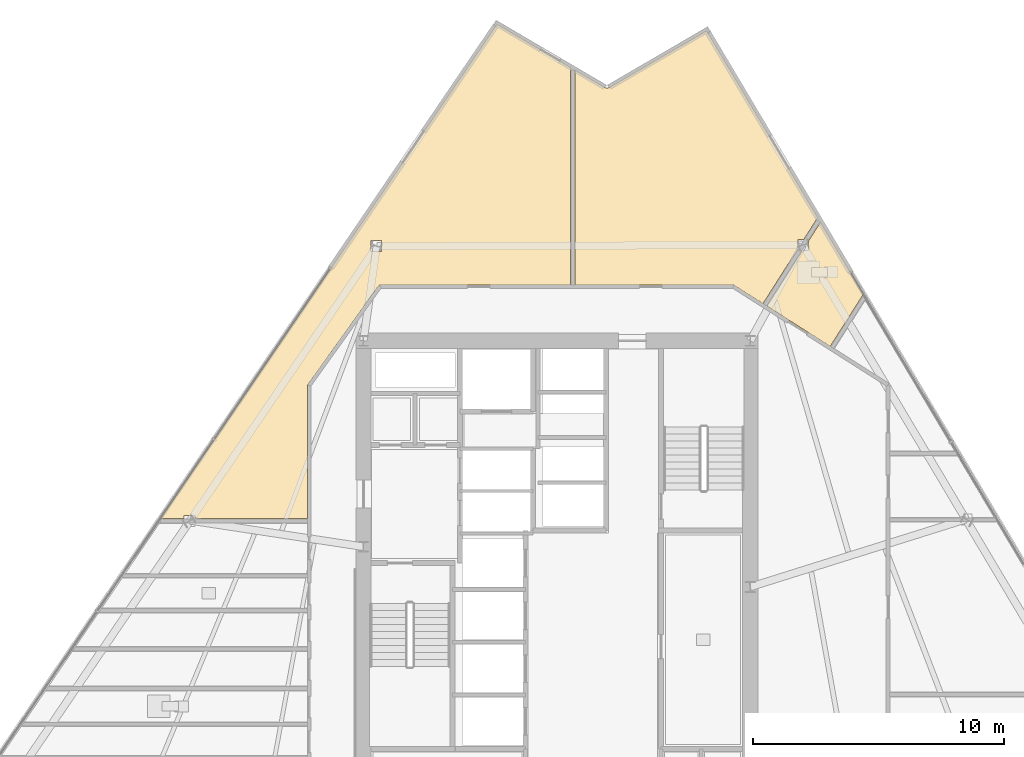
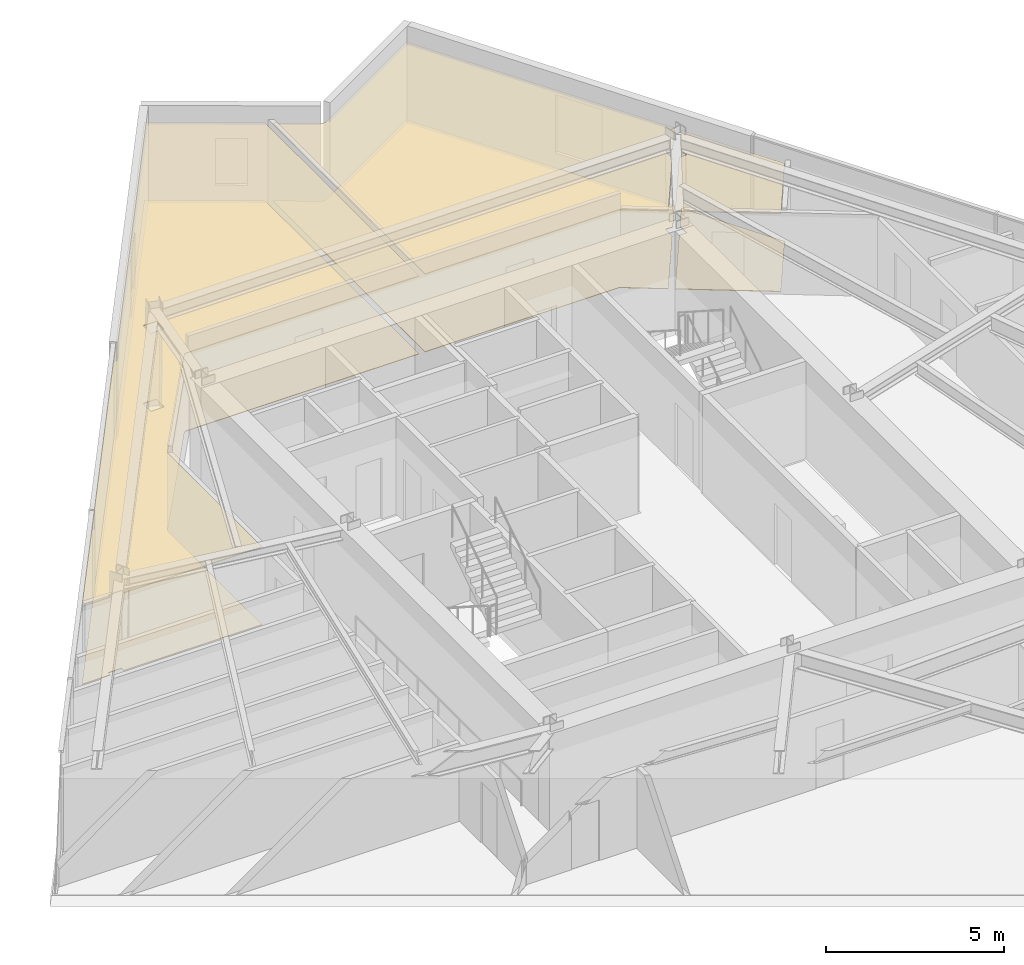
# One storey, part 14 of 15: 6 coverings.
"""IFC4 building model written with IfcOpenShell, lengths in metres."""

from ifc_helpers import new_model, si_unit, direction, frame, origin, place, context, subcontext, project, spatial, polyline, outline, extrude, material, layer, layer_set, type_object, element, save


model = new_model("IFC4")

# Units and contexts
model_context = context("Model", 3, precision=1e-05, world=origin(), true_north=direction((0.0, 1.0)))
body_context = subcontext(model_context, "Body", "Model", "MODEL_VIEW")
ifc_project = project(units=[si_unit("LENGTHUNIT", "METRE"), si_unit("AREAUNIT", "SQUARE_METRE"), si_unit("VOLUMEUNIT", "CUBIC_METRE"), si_unit("PLANEANGLEUNIT", "RADIAN"), si_unit("MASSUNIT", "GRAM", prefix="KILO")], contexts=[model_context])

# Site, building, storey
site_placement = place(None, origin())
site = spatial("IfcSite", under=ifc_project, at=site_placement, CompositionType="ELEMENT")
building_placement = place(site_placement, origin())
building = spatial("IfcBuilding", under=site, at=building_placement, Name="Savorim Split Tower", CompositionType="ELEMENT")
storey_placement = place(building_placement, frame((0.0, 0.0, 118.5)))
storey = spatial("IfcBuildingStorey", under=building, at=storey_placement, Name="L31", CompositionType="ELEMENT", Elevation=118.5)

# Coverings
ifc_material_1 = material(Name="Mineral Fibre Acoustic Ceiling")
ifc_layer_1 = layer(ifc_material_1, 0.02490234375)
ifc_layer_set_1 = layer_set([ifc_layer_1], Name="COV-CEIL-25")
covering_type_1 = type_object("IfcCoveringType", Name="COV-CEIL-25", PredefinedType="CEILING", material=ifc_layer_set_1)
covering_1_placement = place(storey_placement, frame((0.0, 0.0, 2.669921875)))
element("IfcCovering", 1, at=covering_1_placement, inside=storey, type_object=covering_type_1, Name="L31 Shared Bathroom Acoustic Ceiling", PredefinedType="CEILING", context=body_context, shape_type="SweptSolid", body=[
    extrude(outline(polyline([(9.781494140625, 13.798828125), (8.36767578125, 11.575927734375), (8.36767578125, 11.575927734375), (10.8828125, 9.976318359375), (12.205078125, 12.055419921875), (10.498291015625, 14.92578125), (10.020751953125, 14.1748046875), (10.020751953125, 13.798828125), (9.781494140625, 13.798828125)])), origin(), (0.0, 0.0, 1.0), 0.025146484375),
])
covering_2_placement = place(storey_placement, frame((0.0, 0.0, 2.669921875)))
element("IfcCovering", 2, at=covering_2_placement, inside=storey, type_object=covering_type_1, Name="L31 Maker Workshop Acoustic Ceiling", PredefinedType="CEILING", context=body_context, shape_type="SweptSolid", body=[
    extrude(outline(polyline([(1.955322265625, 20.260986328125), (1.944580078125, 20.265380859375), (1.934326171875, 20.270751953125), (0.73193359375, 20.977294921875), (0.73193359375, 12.419921875), (7.0, 12.419921875), (7.01318359375, 12.41943359375), (7.0263671875, 12.41748046875), (7.0390625, 12.414306640625), (7.051513671875, 12.41015625), (7.063720703125, 12.40478515625), (7.0751953125, 12.398193359375), (8.207275390625, 11.677978515625), (9.5947265625, 13.859130859375), (9.5947265625, 14.23486328125), (9.833740234375, 14.23486328125), (10.333740234375, 15.02099609375), (10.384765625, 15.10107421875), (10.39990234375, 15.091552734375), (5.96533203125, 22.54931640625), (2.0556640625, 20.2705078125), (2.04541015625, 20.26513671875), (2.03466796875, 20.260986328125), (2.023681640625, 20.257568359375), (2.01220703125, 20.25537109375), (2.000732421875, 20.25439453125), (1.9892578125, 20.25439453125), (1.977783203125, 20.255615234375), (1.96630859375, 20.2578125), (1.955322265625, 20.260986328125)])), origin(), (0.0, 0.0, 1.0), 0.025146484375),
])
covering_3_placement = place(storey_placement, frame((0.0, 0.0, 2.669921875)))
element("IfcCovering", 3, at=covering_3_placement, inside=storey, type_object=covering_type_1, Name="L31 Maker Workshop Acoustic Ceiling", PredefinedType="CEILING", context=body_context, shape_type="SweptSolid", body=[
    extrude(outline(polyline([(-7.0, 12.419921875), (0.5419921875, 12.419921875), (0.5419921875, 21.089111328125), (-2.384765625, 22.80908203125), (-15.775390625, 3.124755859375), (-14.838134765625, 3.124755859375), (-14.838134765625, 3.247802734375), (-14.412109375, 3.247802734375), (-14.412109375, 3.124755859375), (-9.919921875, 3.124755859375), (-9.919921875, 8.39990234375), (-9.919189453125, 8.41455078125), (-9.9169921875, 8.4287109375), (-9.913330078125, 8.44287109375), (-9.908203125, 8.456298828125), (-9.901611328125, 8.46923828125), (-9.893798828125, 8.4814453125), (-7.11376953125, 12.361572265625), (-7.105712890625, 12.3720703125), (-7.096435546875, 12.381591796875), (-7.086181640625, 12.39013671875), (-7.075439453125, 12.39794921875), (-7.06396484375, 12.404541015625), (-7.052001953125, 12.409912109375), (-7.039306640625, 12.414306640625), (-7.0263671875, 12.41748046875), (-7.01318359375, 12.41943359375), (-7.0, 12.419921875)]), holes=[polyline([(-6.97119140625, 14.18603515625), (-7.397216796875, 14.18603515625), (-7.397216796875, 13.75), (-6.97119140625, 13.75), (-6.97119140625, 14.18603515625)])]), origin(), (0.0, 0.0, 1.0), 0.025146484375),
])
ifc_material_2 = material(Name="Porcelain Stoneware Flooring", Category="masonry")
ifc_layer_2 = layer(ifc_material_2, 0.02001953125)
ifc_layer_set_2 = layer_set([ifc_layer_2], Name="COV-FLOR-20")
covering_type_2 = type_object("IfcCoveringType", Name="COV-FLOR-20", PredefinedType="FLOORING", material=ifc_layer_set_2)
covering_4_placement = place(storey_placement, origin())
element("IfcCovering", 4, at=covering_4_placement, inside=storey, type_object=covering_type_2, Name="L31 Shared Bathroom Porcelain Flooring", PredefinedType="FLOORING", context=body_context, shape_type="SweptSolid", body=[
    extrude(outline(polyline([(9.781494140625, 13.798828125), (8.36767578125, 11.575927734375), (8.36767578125, 11.575927734375), (10.8828125, 9.976318359375), (12.205078125, 12.055419921875), (10.498291015625, 14.92578125), (10.020751953125, 14.1748046875), (10.020751953125, 13.798828125), (9.781494140625, 13.798828125)])), origin(), (0.0, 0.0, 1.0), 0.02001953125),
])
covering_5_placement = place(storey_placement, origin())
element("IfcCovering", 5, at=covering_5_placement, inside=storey, type_object=covering_type_2, Name="L31 Maker Workshop Porcelain Flooring", PredefinedType="FLOORING", context=body_context, shape_type="SweptSolid", body=[
    extrude(outline(polyline([(1.955322265625, 20.260986328125), (1.944580078125, 20.265380859375), (1.934326171875, 20.270751953125), (0.73193359375, 20.977294921875), (0.73193359375, 12.419921875), (7.0, 12.419921875), (7.01318359375, 12.41943359375), (7.0263671875, 12.41748046875), (7.0390625, 12.414306640625), (7.051513671875, 12.41015625), (7.063720703125, 12.40478515625), (7.0751953125, 12.398193359375), (8.207275390625, 11.677978515625), (9.5947265625, 13.859130859375), (9.5947265625, 14.23486328125), (9.833740234375, 14.23486328125), (10.333740234375, 15.02099609375), (10.384765625, 15.10107421875), (10.39990234375, 15.091552734375), (5.96533203125, 22.54931640625), (2.0556640625, 20.2705078125), (2.04541015625, 20.26513671875), (2.03466796875, 20.260986328125), (2.023681640625, 20.257568359375), (2.01220703125, 20.25537109375), (2.000732421875, 20.25439453125), (1.9892578125, 20.25439453125), (1.977783203125, 20.255615234375), (1.96630859375, 20.2578125), (1.955322265625, 20.260986328125)])), origin(), (0.0, 0.0, 1.0), 0.02001953125),
])
covering_6_placement = place(storey_placement, origin())
element("IfcCovering", 6, at=covering_6_placement, inside=storey, type_object=covering_type_2, Name="L31 Maker Workshop Porcelain Flooring", PredefinedType="FLOORING", context=body_context, shape_type="SweptSolid", body=[
    extrude(outline(polyline([(-7.0, 12.419921875), (0.5419921875, 12.419921875), (0.5419921875, 21.089111328125), (-2.384765625, 22.80908203125), (-15.775390625, 3.124755859375), (-14.838134765625, 3.124755859375), (-14.838134765625, 3.247802734375), (-14.412109375, 3.247802734375), (-14.412109375, 3.124755859375), (-9.919921875, 3.124755859375), (-9.919921875, 8.39990234375), (-9.919189453125, 8.41455078125), (-9.9169921875, 8.4287109375), (-9.913330078125, 8.44287109375), (-9.908203125, 8.456298828125), (-9.901611328125, 8.46923828125), (-9.893798828125, 8.4814453125), (-7.11376953125, 12.361572265625), (-7.105712890625, 12.3720703125), (-7.096435546875, 12.381591796875), (-7.086181640625, 12.39013671875), (-7.075439453125, 12.39794921875), (-7.06396484375, 12.404541015625), (-7.052001953125, 12.409912109375), (-7.039306640625, 12.414306640625), (-7.0263671875, 12.41748046875), (-7.01318359375, 12.41943359375), (-7.0, 12.419921875)]), holes=[polyline([(-6.97119140625, 14.18603515625), (-7.397216796875, 14.18603515625), (-7.397216796875, 13.75), (-6.97119140625, 13.75), (-6.97119140625, 14.18603515625)])]), origin(), (0.0, 0.0, 1.0), 0.02001953125),
])

save(model, "model.ifc")
